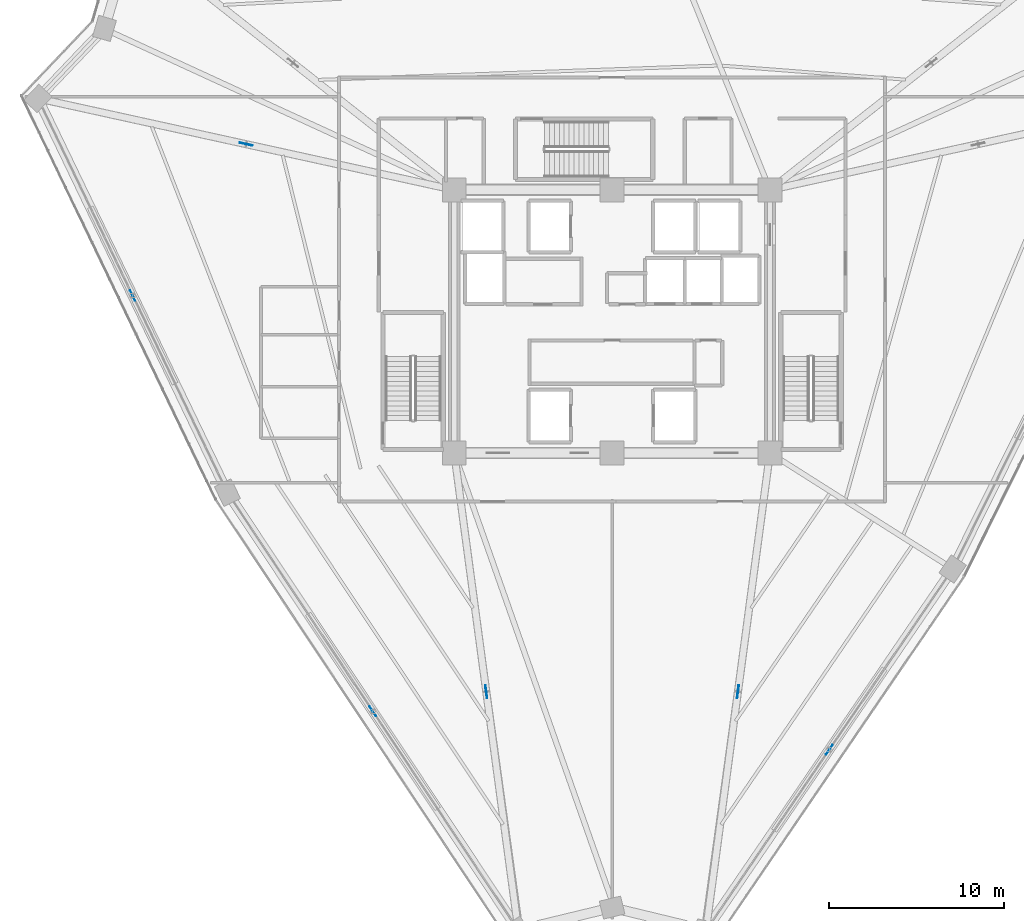
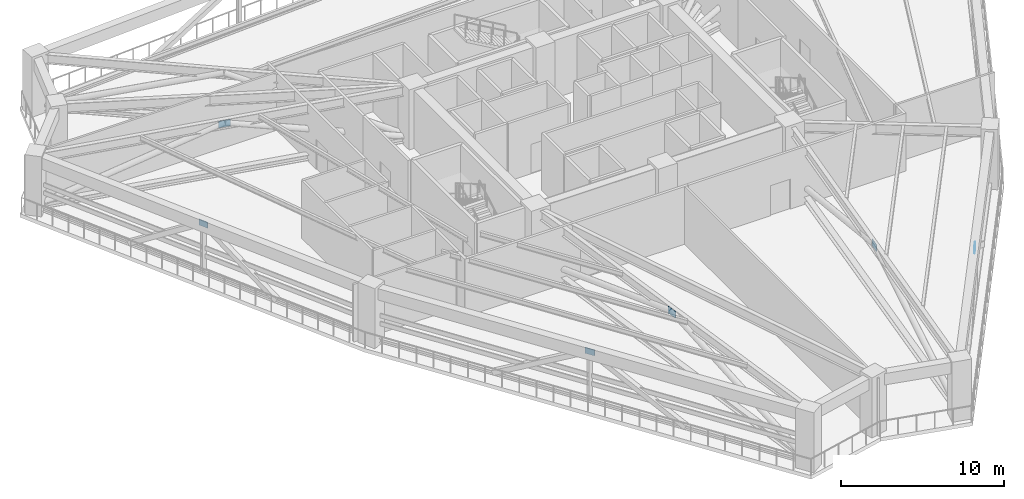
# One storey, part 12 of 25: 6 plates.
"""IFC4 building model written with IfcOpenShell, lengths in metres."""

from ifc_helpers import new_model, si_unit, direction, frame, origin, origin_2d, place, context, subcontext, project, spatial, rectangle, extrude, source, transform, mapped, material, layer, layer_set, type_object, element, save


model = new_model("IFC4")

# Units and contexts
model_context = context("Model", 3, precision=1e-05, world=origin(), true_north=direction((0.0, 1.0)))
body_context = subcontext(model_context, "Body", "Model", "MODEL_VIEW")
ifc_project = project(units=[si_unit("LENGTHUNIT", "METRE"), si_unit("AREAUNIT", "SQUARE_METRE"), si_unit("VOLUMEUNIT", "CUBIC_METRE"), si_unit("PLANEANGLEUNIT", "RADIAN"), si_unit("MASSUNIT", "GRAM", prefix="KILO")], contexts=[model_context])

# Site, building, storey
site_placement = place(None, origin())
site = spatial("IfcSite", under=ifc_project, at=site_placement, CompositionType="ELEMENT")
building_placement = place(site_placement, origin())
building = spatial("IfcBuilding", under=site, at=building_placement, Name="Liaohun Quay Tower", CompositionType="ELEMENT")
storey_placement = place(building_placement, frame((0.0, 0.0, 231.75)))
storey = spatial("IfcBuildingStorey", under=building, at=storey_placement, Name="L60", CompositionType="ELEMENT", Elevation=231.75)

# Plates
ifc_material = material(Name="Steel Q420D outrigger node gusset plate", Category="steel")
ifc_layer = layer(ifc_material, 0.0400390625, Name="Steel Q420D outrigger node gusset plate", Category="steel")
ifc_layer_set = layer_set([ifc_layer], Name="Steel Q420D outrigger node gusset plate")
plate_type = type_object("IfcPlateType", Name="PLT-GUS-OUT", PredefinedType="USERDEFINED", material=ifc_layer_set)
shared_shape_1 = source(origin(), body_context, "Body", "SweptSolid", [
    extrude(rectangle(XDim=0.75, YDim=0.0400390625, at=origin_2d()), origin(), (0.0, 0.0, 1.0), 0.5),
])
for number, where, z_axis, x_axis, name in (
    (1, (52.826904296875, 32.89697265625, 3.669921875), (0.0, 0.0, 1.0), (0.133121338527, -0.991099747366, 0.0), "L60 Outrigger Node Gusset Plate GP1-01"),
    (2, (39.133056640625, 64.10791015625, 3.669921875), (0.0, 0.0, 1.0), (-0.976672278334, 0.214735327167, 0.0), "L60 Outrigger Node Gusset Plate GP1-02"),
    (3, (67.177001953125, 32.89599609375, 3.669921875), (0.0, 0.0, 1.0), (-0.132775371347, -0.991146155097, 0.0), "L60 Outrigger Node Gusset Plate GP1-06"),
):
    element("IfcPlate", number, at=place(storey_placement, frame(where, z_axis=z_axis, x_axis=x_axis)), inside=storey, type_object=plate_type, Name=name, ObjectType="GUSSET PLATE", PredefinedType="USERDEFINED", context=body_context, shape_type="MappedRepresentation", body=[
        mapped(shared_shape_1, transform((0.0, 0.0, 0.0), x_axis=(1.0, 0.0, 0.0), y_axis=(0.0, 1.0, 0.0), z_axis=(0.0, 0.0, 1.0), scale=1.0)),
    ])
shared_shape_2 = source(origin(), body_context, "Body", "SweptSolid", [
    extrude(rectangle(XDim=0.64990234375, YDim=0.035888671875, at=origin_2d()), origin(), (0.0, 0.0, 1.0), 0.449951171875),
])
for number, where, z_axis, x_axis, name in (
    (4, (46.362060546875, 31.77001953125, 3.69482421875), (0.0, 0.0, 1.0), (-0.553536912995, 0.832824642979, 0.0), "L60 Belt Truss Node Gusset Plate GP1-B01"),
    (5, (32.66796875, 55.48095703125, 3.69482421875), (0.0, 0.0, 1.0), (-0.433344522957, 0.901228341999, 0.0), "L60 Belt Truss Node Gusset Plate GP1-B02"),
    (6, (72.383056640625, 29.589111328125, 3.69482421875), (0.0, 0.0, 1.0), (-0.563814377303, -0.825901536471, 0.0), "L60 Belt Truss Node Gusset Plate GP1-B06"),
):
    element("IfcPlate", number, at=place(storey_placement, frame(where, z_axis=z_axis, x_axis=x_axis)), inside=storey, type_object=plate_type, Name=name, ObjectType="GUSSET PLATE", PredefinedType="USERDEFINED", context=body_context, shape_type="MappedRepresentation", body=[
        mapped(shared_shape_2, transform((0.0, 0.0, 0.0), x_axis=(1.0, 0.0, 0.0), y_axis=(0.0, 1.0, 0.0), z_axis=(0.0, 0.0, 1.0), scale=1.0)),
    ])

save(model, "model.ifc")
